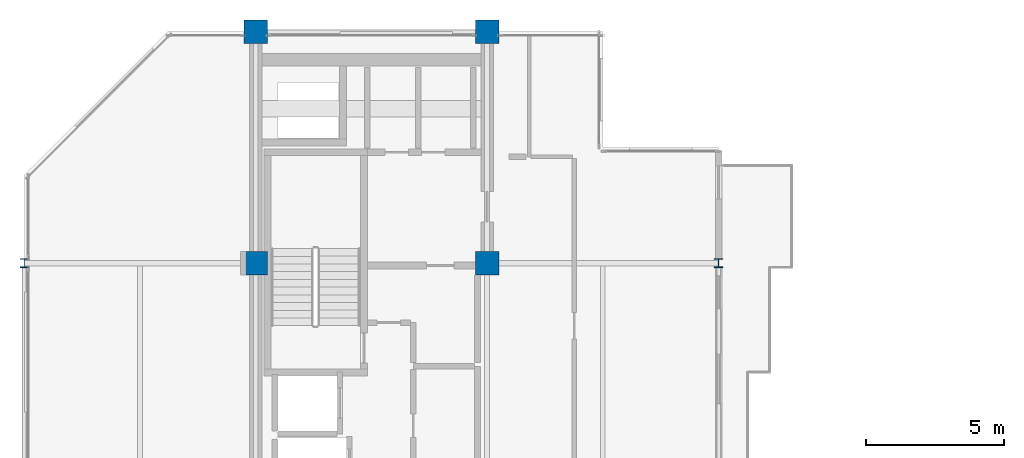
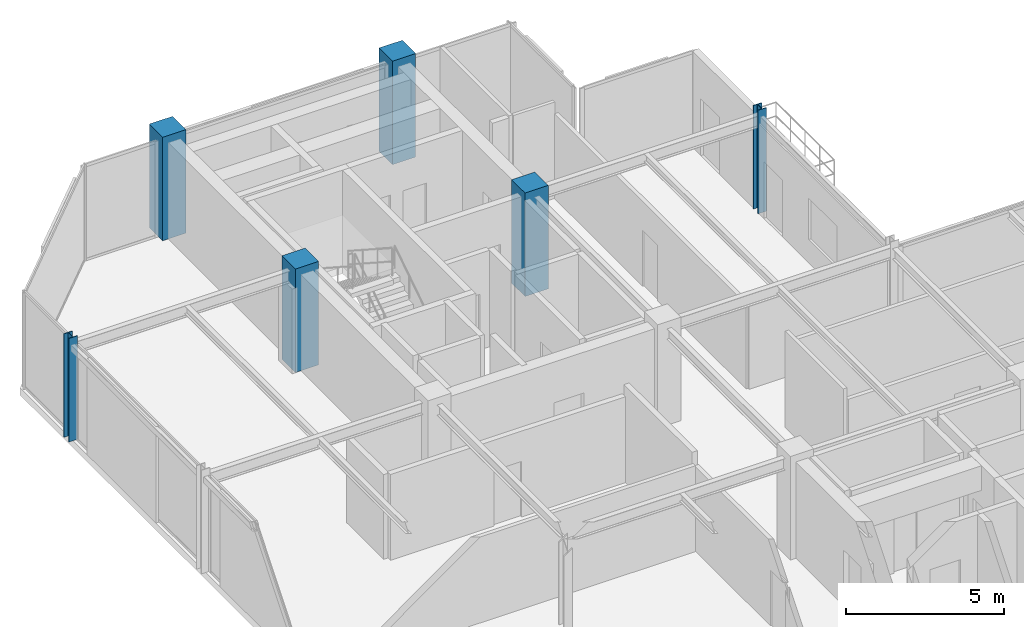
# One storey, part 2 of 26: 6 columns.
"""IFC4 building model written with IfcOpenShell, lengths in metres."""

from ifc_helpers import new_model, si_unit, direction, frame, origin, origin_2d, place, context, subcontext, project, spatial, rectangle, i_section, extrude, material, material_profile, profile_set, type_object, element, save


model = new_model("IFC4")

# Units and contexts
model_context = context("Model", 3, precision=1e-05, world=origin(), true_north=direction((0.0, 1.0)))
body_context = subcontext(model_context, "Body", "Model", "MODEL_VIEW")
ifc_project = project(units=[si_unit("LENGTHUNIT", "METRE"), si_unit("AREAUNIT", "SQUARE_METRE"), si_unit("VOLUMEUNIT", "CUBIC_METRE"), si_unit("PLANEANGLEUNIT", "RADIAN"), si_unit("MASSUNIT", "GRAM", prefix="KILO")], contexts=[model_context])

# Site, building, storey
site_placement = place(None, origin())
site = spatial("IfcSite", under=ifc_project, at=site_placement, CompositionType="ELEMENT")
building_placement = place(site_placement, origin())
building = spatial("IfcBuilding", under=site, at=building_placement, Name="Nerrivon Quay Data Exchange", CompositionType="ELEMENT")
storey_placement = place(building_placement, frame((0.0, 0.0, 250.199951171875)))
storey = spatial("IfcBuildingStorey", under=building, at=storey_placement, Name="L59", CompositionType="ELEMENT", Elevation=250.199951171875)

# Columns
ifc_material_1 = material(Name="Concrete N50 (50 MPa)", Category="concrete")
ifc_material_profile_1 = material_profile(ifc_material_1, rectangle(XDim=0.85009765625, YDim=0.85009765625, at=origin_2d()), Name="RC-COL-850x850")
ifc_profile_set_1 = profile_set([ifc_material_profile_1], Name="Concrete N50 (50 MPa)")
column_type_1 = type_object("IfcColumnType", Name="COL-C5-850", PredefinedType="COLUMN", material=ifc_profile_set_1)
for number, where, z_axis, x_axis, name in (
    (1, (8.39990234375, 33.60009765625, 0.0), (0.0, 0.0, 1.0), (1.0, 0.0, 0.0), "L59 Column (8.4,33.6)"),
    (2, (8.39990234375, 42.0, 0.0), (0.0, 0.0, 1.0), (1.0, 0.0, 0.0), "L59 Column (8.4,42.0)"),
    (3, (16.800048828125, 33.60009765625, 0.0), (0.0, 0.0, 1.0), (1.0, 0.0, 0.0), "L59 Column (16.8,33.6)"),
    (4, (16.800048828125, 42.0, 0.0), (0.0, 0.0, 1.0), (1.0, 0.0, 0.0), "L59 Column (16.8,42.0)"),
):
    element("IfcColumn", number, at=place(storey_placement, frame(where, z_axis=z_axis, x_axis=x_axis)), inside=storey, type_object=column_type_1, Name=name, PredefinedType="COLUMN", context=body_context, shape_type="SweptSolid", body=[
        extrude(rectangle(XDim=0.85009765625, YDim=0.85009765625, at=origin_2d()), origin(), (0.0, 0.0, 1.0), 4.0),
    ])
ifc_material_2 = material(Name="Steel Grade 350", Category="steel")
ifc_material_profile_2 = material_profile(ifc_material_2, i_section(OverallWidth=0.31103515625, OverallDepth=0.326904296875, WebThickness=0.015625, FlangeThickness=0.02490234375, FilletRadius=0.0166015625, at=origin_2d()), Name="310UC158")
ifc_profile_set_2 = profile_set([ifc_material_profile_2], Name="Steel Grade 350")
column_type_2 = type_object("IfcColumnType", Name="COL-SC4-310UC158", PredefinedType="COLUMN", material=ifc_profile_set_2)
for number, where, z_axis, x_axis, name in (
    (5, (0.0, 33.60009765625, 0.0), (0.0, 0.0, 1.0), (1.0, 0.0, 0.0), "L59 Column (0.0,33.6)"),
    (6, (25.199951171875, 33.60009765625, 0.0), (0.0, 0.0, 1.0), (1.0, 0.0, 0.0), "L59 Column (25.2,33.6)"),
):
    element("IfcColumn", number, at=place(storey_placement, frame(where, z_axis=z_axis, x_axis=x_axis)), inside=storey, type_object=column_type_2, Name=name, PredefinedType="COLUMN", context=body_context, shape_type="SweptSolid", body=[
        extrude(i_section(OverallWidth=0.31103515625, OverallDepth=0.326904296875, WebThickness=0.015625, FlangeThickness=0.02490234375, FilletRadius=0.0166015625, at=origin_2d()), origin(), (0.0, 0.0, 1.0), 4.0),
    ])

save(model, "model.ifc")
